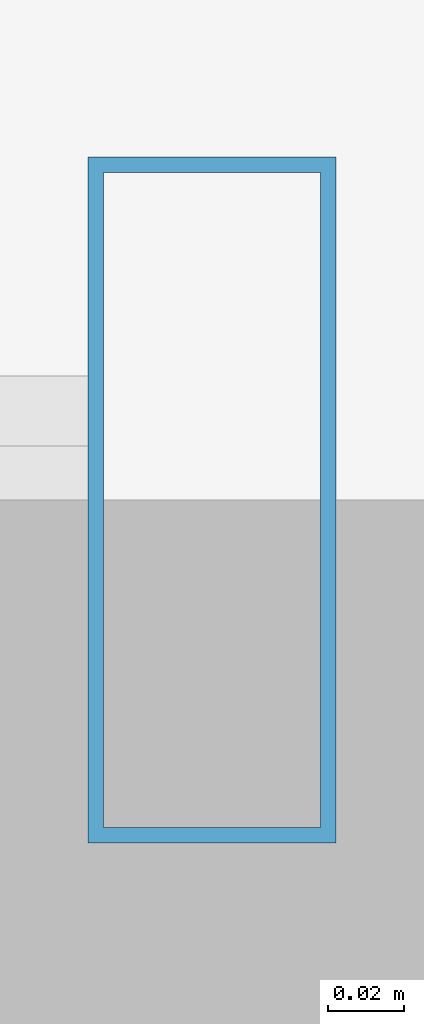
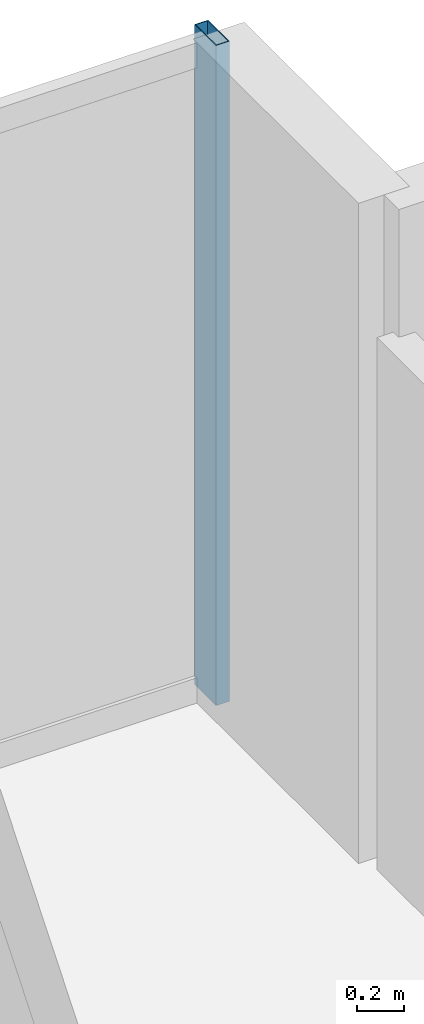
# One storey, part 27 of 41: 1 member, 1 element without a shape of its own.
"""IFC4 building model written with IfcOpenShell, lengths in metres."""

from ifc_helpers import new_model, si_unit, direction, frame, origin, origin_2d, place, context, subcontext, project, spatial, hollow_rectangle, extrude, source, transform, mapped, material, material_profile, profile_set, type_object, element, aggregate, save


model = new_model("IFC4")

# Units and contexts
model_context = context("Model", 3, precision=1e-05, world=origin(), true_north=direction((0.0, 1.0)))
body_context = subcontext(model_context, "Body", "Model", "MODEL_VIEW")
ifc_project = project(units=[si_unit("LENGTHUNIT", "METRE"), si_unit("AREAUNIT", "SQUARE_METRE"), si_unit("VOLUMEUNIT", "CUBIC_METRE"), si_unit("PLANEANGLEUNIT", "RADIAN"), si_unit("MASSUNIT", "GRAM", prefix="KILO")], contexts=[model_context])

# Site, building, storey
site_placement = place(None, origin())
site = spatial("IfcSite", under=ifc_project, at=site_placement, CompositionType="ELEMENT")
building_placement = place(site_placement, origin())
building = spatial("IfcBuilding", under=site, at=building_placement, Name="Nahalor Promenade Grand Hotel", CompositionType="ELEMENT")
storey_placement = place(building_placement, frame((0.0, 0.0, 227.10009765625)))
storey = spatial("IfcBuildingStorey", under=building, at=storey_placement, Name="L58", CompositionType="ELEMENT", Elevation=227.10009765625)

# Curtain wall, member
ifc_material = material(Name="Anodised Bronze Aluminium EN AW-6063 T6", Category="aluminium")
curtain_wall_type = type_object("IfcCurtainWallType", Name="CW2 Typical Hotel Flush Bronze Unitised Curtain Wall", PredefinedType="USERDEFINED", material=ifc_material)
curtain_wall_placement = place(storey_placement, origin())
curtain_wall = element("IfcCurtainWall", 1, at=curtain_wall_placement, inside=storey, type_object=curtain_wall_type, Name="L58 Curtain Wall CW-L58-N-3", ObjectType="UNITISED_CURTAIN_WALL", PredefinedType="USERDEFINED")
ifc_material_profile = material_profile(ifc_material, hollow_rectangle(XDim=0.065, YDim=0.18, WallThickness=0.004, at=origin_2d()), Name="CWM 65x180x4")
ifc_profile_set = profile_set([ifc_material_profile], Name="Anodised Bronze Aluminium EN AW-6063 T6")
member_type = type_object("IfcMemberType", Name="CWM2 Typical Bronze Mullion 65x180", PredefinedType="MULLION", material=ifc_profile_set)
shared_shape = source(origin(), body_context, "Body", "SweptSolid", [
    extrude(hollow_rectangle(XDim=0.065, YDim=0.18, WallThickness=0.004, at=origin_2d()), origin(), (0.0, 0.0, 1.0), 3.409912109375),
])
member_placement = place(storey_placement, frame((21.12744140625, 23.9599609375, 0.0), z_axis=(0.0, 0.0, 1.0), x_axis=(1.0, 0.0, 0.0)))
member = element("IfcMember", 2, at=member_placement, type_object=member_type, Name="CW-L58-N-3 Mullion 2", PredefinedType="MULLION", context=body_context, shape_type="MappedRepresentation", body=[
    mapped(shared_shape, transform((0.0, 0.0, 0.0), scale=1.0)),
])
aggregate(curtain_wall, [member])

save(model, "model.ifc")
